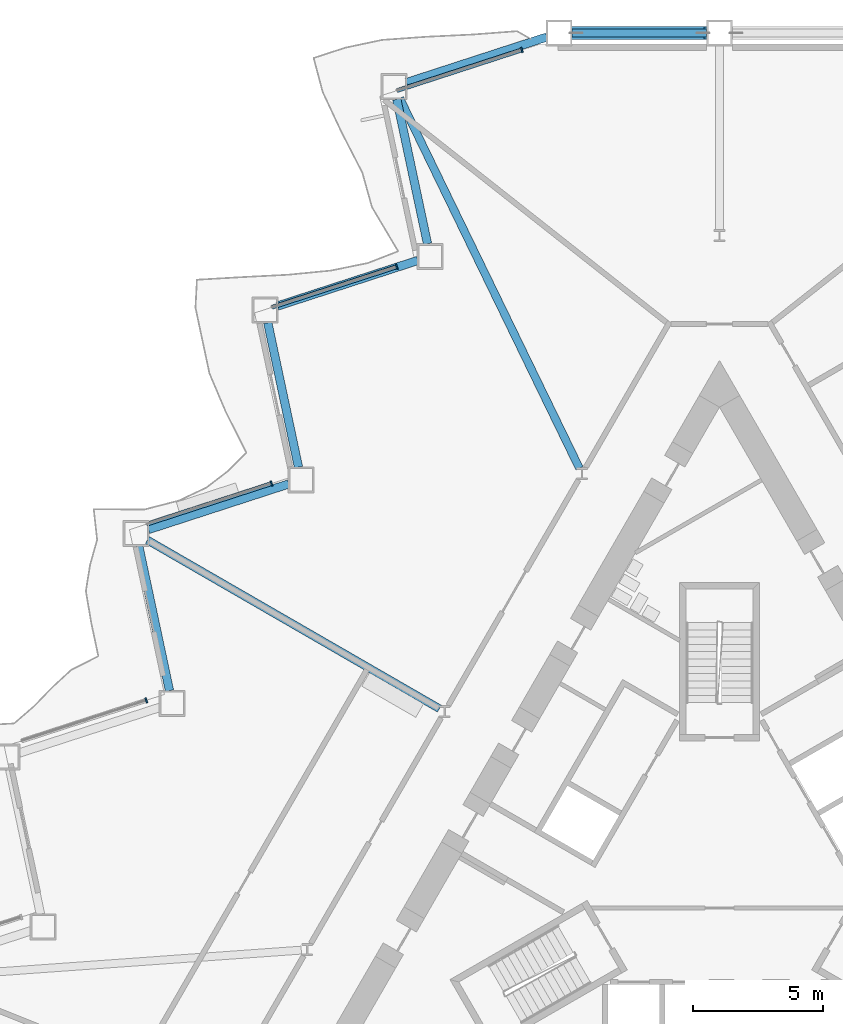
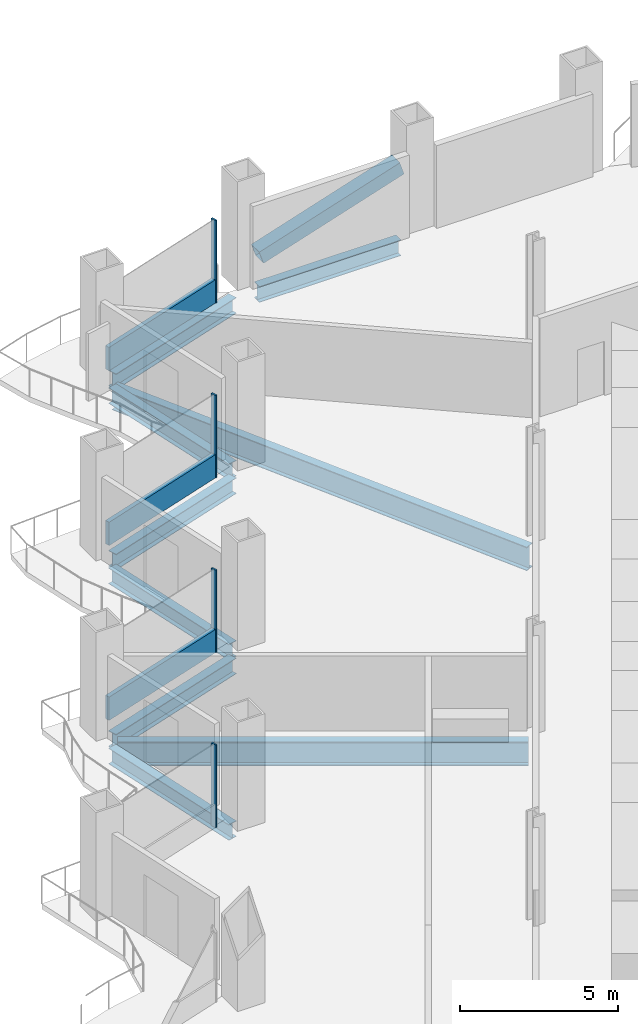
# One storey, part 6 of 20: 9 beams, 8 members, 4 elements without a shape of their own.
"""IFC4 building model written with IfcOpenShell, lengths in metres."""

from ifc_helpers import new_model, si_unit, direction, frame, origin, origin_2d, place, context, subcontext, project, spatial, rectangle, hollow_rectangle, i_section, extrude, material, layer, layer_set, material_profile, profile_set, type_object, element, aggregate, save


model = new_model("IFC4")

# Units and contexts
model_context = context("Model", 3, precision=1e-05, world=origin(), true_north=direction((0.0, 1.0)))
body_context = subcontext(model_context, "Body", "Model", "MODEL_VIEW")
ifc_project = project(units=[si_unit("LENGTHUNIT", "METRE"), si_unit("AREAUNIT", "SQUARE_METRE"), si_unit("VOLUMEUNIT", "CUBIC_METRE"), si_unit("PLANEANGLEUNIT", "RADIAN"), si_unit("MASSUNIT", "GRAM", prefix="KILO")], contexts=[model_context])

# Site, building, storey
site_placement = place(None, origin())
site = spatial("IfcSite", under=ifc_project, at=site_placement, CompositionType="ELEMENT")
building_placement = place(site_placement, origin())
building = spatial("IfcBuilding", under=site, at=building_placement, Name="Cormorant Prow Tower", CompositionType="ELEMENT")
storey_placement = place(building_placement, frame((0.0, 0.0, 34.199951171875)))
storey = spatial("IfcBuildingStorey", under=building, at=storey_placement, Name="L06", CompositionType="ELEMENT", Elevation=34.199951171875)

# Member
ifc_material_1 = material(Name="Structural steel ASTM A500 Gr C", Category="steel")
ifc_material_profile_1 = material_profile(ifc_material_1, hollow_rectangle(XDim=0.508056640625, YDim=0.508056640625, WallThickness=0.014892578125, at=origin_2d()), Name="HSS20x20x5/8")
ifc_profile_set_1 = profile_set([ifc_material_profile_1], Name="Structural steel ASTM A500 Gr C")
member_type_1 = type_object("IfcMemberType", Name="Chamfer brace HSS20x20x5/8", PredefinedType="BRACE", material=ifc_profile_set_1)
member_1_placement = place(storey_placement, frame((-5.65087890625, 32.233642578125, 0.767333984375), z_axis=(0.951774314198, 0.0, 0.306799046335), x_axis=(0.0, 1.0, 0.0)))
element("IfcMember", 1, at=member_1_placement, inside=storey, type_object=member_type_1, Name="Chamfer brace BR1 at N01 L06", PredefinedType="BRACE", context=body_context, shape_type="SweptSolid", body=[
    extrude(hollow_rectangle(XDim=0.508056640625, YDim=0.508056640625, WallThickness=0.014892578125, at=origin_2d()), origin(), (0.0, 0.0, 1.0), 5.39208984375),
])

# Curtain wall, member
ifc_material_2 = material(Name="Aluminium 6063-T6", Category="aluminium")
ifc_layer = layer(ifc_material_2, 0.199951171875)
ifc_layer_set = layer_set([ifc_layer], Name="Aluminium 6063-T6")
curtain_wall_type = type_object("IfcCurtainWallType", Name="Office unitised curtain wall 200", PredefinedType="NOTDEFINED", material=ifc_layer_set)
curtain_wall_1_placement = place(storey_placement, origin())
curtain_wall_1 = element("IfcCurtainWall", 2, at=curtain_wall_1_placement, inside=storey, type_object=curtain_wall_type, Name="Office curtain wall WNW00", PredefinedType="NOTDEFINED")
ifc_material_3 = material(Name="Aluminium 6063-T6", Category="aluminium")
ifc_material_profile_2 = material_profile(ifc_material_3, rectangle(XDim=0.199951171875, YDim=0.06005859375, at=origin_2d()), Name="Office mullion 60x200")
ifc_profile_set_2 = profile_set([ifc_material_profile_2], Name="Aluminium 6063-T6")
member_type_2 = type_object("IfcMemberType", Name="Office mullion 60x200", PredefinedType="MULLION", material=ifc_profile_set_2)
member_2_placement = place(storey_placement, frame((-7.609375, 31.578369140625, 0.0), z_axis=(0.0, 0.0, 1.0), x_axis=(0.30901688663, -0.951056551303, 0.0)))
member_2 = element("IfcMember", 3, at=member_2_placement, type_object=member_type_2, Name="Office mullion WNW00", PredefinedType="MULLION", context=body_context, shape_type="SweptSolid", body=[
    extrude(rectangle(XDim=0.199951171875, YDim=0.06005859375, at=origin_2d()), origin(), (0.0, 0.0, 1.0), 3.18896484375),
])

curtain_wall_2_placement = place(storey_placement, origin())
curtain_wall_2 = element("IfcCurtainWall", 4, at=curtain_wall_2_placement, inside=storey, type_object=curtain_wall_type, Name="Office curtain wall WNW02", PredefinedType="NOTDEFINED")
member_3_placement = place(storey_placement, frame((-12.427001953125, 23.234130859375, 0.0), z_axis=(0.0, 0.0, 1.0), x_axis=(0.309017026162, -0.951056505967, 0.0)))
member_3 = element("IfcMember", 5, at=member_3_placement, type_object=member_type_2, Name="Office mullion WNW02", PredefinedType="MULLION", context=body_context, shape_type="SweptSolid", body=[
    extrude(rectangle(XDim=0.199951171875, YDim=0.06005859375, at=origin_2d()), origin(), (0.0, 0.0, 1.0), 3.18896484375),
])

curtain_wall_3_placement = place(storey_placement, origin())
curtain_wall_3 = element("IfcCurtainWall", 6, at=curtain_wall_3_placement, inside=storey, type_object=curtain_wall_type, Name="Office curtain wall WNW04", PredefinedType="NOTDEFINED")
member_4_placement = place(storey_placement, frame((-17.244384765625, 14.889892578125, 0.0), z_axis=(0.0, 0.0, 1.0), x_axis=(0.309017026162, -0.951056505967, 0.0)))
member_4 = element("IfcMember", 7, at=member_4_placement, type_object=member_type_2, Name="Office mullion WNW04", PredefinedType="MULLION", context=body_context, shape_type="SweptSolid", body=[
    extrude(rectangle(XDim=0.199951171875, YDim=0.06005859375, at=origin_2d()), origin(), (0.0, 0.0, 1.0), 3.18896484375),
])

curtain_wall_4_placement = place(storey_placement, origin())
curtain_wall_4 = element("IfcCurtainWall", 8, at=curtain_wall_4_placement, inside=storey, type_object=curtain_wall_type, Name="Office curtain wall WNW06", PredefinedType="NOTDEFINED")
member_5_placement = place(storey_placement, frame((-22.06201171875, 6.545654296875, 0.0), z_axis=(0.0, 0.0, 1.0), x_axis=(0.309016931979, -0.951056536569, 0.0)))
member_5 = element("IfcMember", 9, at=member_5_placement, type_object=member_type_2, Name="Office mullion WNW06", PredefinedType="MULLION", context=body_context, shape_type="SweptSolid", body=[
    extrude(rectangle(XDim=0.199951171875, YDim=0.06005859375, at=origin_2d()), origin(), (0.0, 0.0, 1.0), 3.18896484375),
])
aggregate(curtain_wall_4, [member_5])

# Member
ifc_material_4 = material(Name="Terracotta", Category="masonry")
ifc_material_profile_3 = material_profile(ifc_material_4, rectangle(XDim=0.159912109375, YDim=0.89990234375, at=origin_2d()), Name="Office terracotta spandrel rail 160x900")
ifc_profile_set_3 = profile_set([ifc_material_profile_3], Name="Terracotta")
member_type_3 = type_object("IfcMemberType", Name="Office terracotta spandrel rail 160x900", PredefinedType="USERDEFINED", material=ifc_profile_set_3)
member_6_placement = place(storey_placement, frame((-7.637939453125, 31.569091796875, 0.449951171875), z_axis=(-0.951064821809, -0.308991431464, 0.0), x_axis=(0.308991431464, -0.951064821809, 0.0)))
member_6 = element("IfcMember", 10, at=member_6_placement, type_object=member_type_3, Name="Office spandrel rail WNW00", ObjectType="TRANSOM", PredefinedType="USERDEFINED", context=body_context, shape_type="SweptSolid", body=[
    extrude(rectangle(XDim=0.159912109375, YDim=0.89990234375, at=origin_2d()), origin(), (0.0, 0.0, 1.0), 5.016357421875),
])

aggregate(curtain_wall_1, [member_2, member_6])

member_7_placement = place(storey_placement, frame((-12.455322265625, 23.224853515625, 0.449951171875), z_axis=(-0.951055166493, -0.309021148607, 0.0), x_axis=(0.309021148607, -0.951055166493, 0.0)))
member_7 = element("IfcMember", 11, at=member_7_placement, type_object=member_type_3, Name="Office spandrel rail WNW02", ObjectType="TRANSOM", PredefinedType="USERDEFINED", context=body_context, shape_type="SweptSolid", body=[
    extrude(rectangle(XDim=0.159912109375, YDim=0.89990234375, at=origin_2d()), origin(), (0.0, 0.0, 1.0), 5.016845703125),
])

aggregate(curtain_wall_2, [member_3, member_7])

member_8_placement = place(storey_placement, frame((-17.27294921875, 14.880615234375, 0.449951171875), z_axis=(-0.951055166493, -0.309021148607, 0.0), x_axis=(0.309021148607, -0.951055166493, 0.0)))
member_8 = element("IfcMember", 12, at=member_8_placement, type_object=member_type_3, Name="Office spandrel rail WNW04", ObjectType="TRANSOM", PredefinedType="USERDEFINED", context=body_context, shape_type="SweptSolid", body=[
    extrude(rectangle(XDim=0.159912109375, YDim=0.89990234375, at=origin_2d()), origin(), (0.0, 0.0, 1.0), 5.016845703125),
])

aggregate(curtain_wall_3, [member_4, member_8])

# Beams
ifc_material_5 = material(Name="Structural steel ASTM A992 Gr 50", Category="steel")
ifc_material_profile_4 = material_profile(ifc_material_5, i_section(OverallWidth=0.3046875, OverallDepth=0.914794921875, WebThickness=0.0166015625, FlangeThickness=0.02587890625, at=origin_2d()), Name="W36x160")
ifc_profile_set_4 = profile_set([ifc_material_profile_4], Name="Structural steel ASTM A992 Gr 50")
beam_type_1 = type_object("IfcBeamType", Name="Radial floor beam W36x160", PredefinedType="BEAM", material=ifc_profile_set_4)
beam_1_placement = place(storey_placement, frame((-5.390625, 15.4775390625, -0.857421875), z_axis=(-0.436839436813, 0.899539496879, 0.0), x_axis=(-0.899539496879, -0.436839436813, 0.0)))
element("IfcBeam", 13, at=beam_1_placement, inside=storey, type_object=beam_type_1, Name="Radial floor beam FB1 2 L06", PredefinedType="BEAM", context=body_context, shape_type="SweptSolid", body=[
    extrude(i_section(OverallWidth=0.3046875, OverallDepth=0.914794921875, WebThickness=0.0166015625, FlangeThickness=0.02587890625, at=origin_2d()), origin(), (0.0, 0.0, 1.0), 15.83203125),
])
beam_2_placement = place(storey_placement, frame((-10.779541015625, 6.2236328125, -0.857421875), z_axis=(-0.866030278318, 0.499991556966, 0.0), x_axis=(-0.499991556966, -0.866030278318, 0.0)))
element("IfcBeam", 14, at=beam_2_placement, inside=storey, type_object=beam_type_1, Name="Radial floor beam FB1 3 L06", PredefinedType="BEAM", context=body_context, shape_type="SweptSolid", body=[
    extrude(i_section(OverallWidth=0.3046875, OverallDepth=0.914794921875, WebThickness=0.0166015625, FlangeThickness=0.02587890625, at=origin_2d()), origin(), (0.0, 0.0, 1.0), 12.984130859375),
])
ifc_material_6 = material(Name="Structural steel ASTM A992 Gr 50", Category="steel")
ifc_material_profile_5 = material_profile(ifc_material_6, i_section(OverallWidth=0.32373046875, OverallDepth=0.611083984375, WebThickness=0.0126953125, FlangeThickness=0.01904296875, at=origin_2d()), Name="W24x104")
ifc_profile_set_5 = profile_set([ifc_material_profile_5], Name="Structural steel ASTM A992 Gr 50")
beam_type_2 = type_object("IfcBeamType", Name="Spandrel beam W24x104", PredefinedType="SPANDREL", material=ifc_profile_set_5)
beam_3_placement = place(storey_placement, frame((-0.5, 32.233642578125, -0.70556640625), z_axis=(-1.0, 0.0, 0.0), x_axis=(0.0, -1.0, 0.0)))
element("IfcBeam", 15, at=beam_3_placement, inside=storey, type_object=beam_type_2, Name="Spandrel beam SB1 N01-WNW00 L06", PredefinedType="SPANDREL", context=body_context, shape_type="SweptSolid", body=[
    extrude(i_section(OverallWidth=0.32373046875, OverallDepth=0.611083984375, WebThickness=0.0126953125, FlangeThickness=0.01904296875, at=origin_2d()), origin(), (0.0, 0.0, 1.0), 5.169677734375),
])
beam_4_placement = place(storey_placement, frame((-6.645263671875, 32.0791015625, -0.70556640625), z_axis=(-0.951061849722, -0.309000579292, 0.0), x_axis=(0.309000579292, -0.951061849722, 0.0)))
element("IfcBeam", 16, at=beam_4_placement, inside=storey, type_object=beam_type_2, Name="Spandrel beam SB1 WNW00-WNW01 L06", PredefinedType="SPANDREL", context=body_context, shape_type="SweptSolid", body=[
    extrude(i_section(OverallWidth=0.32373046875, OverallDepth=0.611083984375, WebThickness=0.0126953125, FlangeThickness=0.01904296875, at=origin_2d()), origin(), (0.0, 0.0, 1.0), 5.682373046875),
])
beam_5_placement = place(storey_placement, frame((-12.421142578125, 29.6796875, -0.70556640625), z_axis=(0.207900376723, -0.97815000555, 0.0), x_axis=(0.97815000555, 0.207900376723, 0.0)))
element("IfcBeam", 17, at=beam_5_placement, inside=storey, type_object=beam_type_2, Name="Spandrel beam SB1 WNW01-WNW02 L06", PredefinedType="SPANDREL", context=body_context, shape_type="SweptSolid", body=[
    extrude(i_section(OverallWidth=0.32373046875, OverallDepth=0.611083984375, WebThickness=0.0126953125, FlangeThickness=0.01904296875, at=origin_2d()), origin(), (0.0, 0.0, 1.0), 5.6826171875),
])
beam_6_placement = place(storey_placement, frame((-11.611328125, 23.477783203125, -0.70556640625), z_axis=(-0.951049222751, -0.309039440696, 0.0), x_axis=(0.309039440696, -0.951049222751, 0.0)))
element("IfcBeam", 18, at=beam_6_placement, inside=storey, type_object=beam_type_2, Name="Spandrel beam SB1 WNW02-WNW03 L06", PredefinedType="SPANDREL", context=body_context, shape_type="SweptSolid", body=[
    extrude(i_section(OverallWidth=0.32373046875, OverallDepth=0.611083984375, WebThickness=0.0126953125, FlangeThickness=0.01904296875, at=origin_2d()), origin(), (0.0, 0.0, 1.0), 5.682373046875),
])
beam_7_placement = place(storey_placement, frame((-17.38720703125, 21.078125, -0.70556640625), z_axis=(0.207900376723, -0.97815000555, 0.0), x_axis=(0.97815000555, 0.207900376723, 0.0)))
element("IfcBeam", 19, at=beam_7_placement, inside=storey, type_object=beam_type_2, Name="Spandrel beam SB1 WNW03-WNW04 L06", PredefinedType="SPANDREL", context=body_context, shape_type="SweptSolid", body=[
    extrude(i_section(OverallWidth=0.32373046875, OverallDepth=0.611083984375, WebThickness=0.0126953125, FlangeThickness=0.01904296875, at=origin_2d()), origin(), (0.0, 0.0, 1.0), 5.6826171875),
])
beam_8_placement = place(storey_placement, frame((-16.577392578125, 14.876220703125, -0.70556640625), z_axis=(-0.951049222751, -0.309039440696, 0.0), x_axis=(0.309039440696, -0.951049222751, 0.0)))
element("IfcBeam", 20, at=beam_8_placement, inside=storey, type_object=beam_type_2, Name="Spandrel beam SB1 WNW04-WNW05 L06", PredefinedType="SPANDREL", context=body_context, shape_type="SweptSolid", body=[
    extrude(i_section(OverallWidth=0.32373046875, OverallDepth=0.611083984375, WebThickness=0.0126953125, FlangeThickness=0.01904296875, at=origin_2d()), origin(), (0.0, 0.0, 1.0), 5.682373046875),
])
beam_9_placement = place(storey_placement, frame((-22.353271484375, 12.4765625, -0.70556640625), z_axis=(0.207900376723, -0.97815000555, 0.0), x_axis=(0.97815000555, 0.207900376723, 0.0)))
element("IfcBeam", 21, at=beam_9_placement, inside=storey, type_object=beam_type_2, Name="Spandrel beam SB1 WNW05-WNW06 L06", PredefinedType="SPANDREL", context=body_context, shape_type="SweptSolid", body=[
    extrude(i_section(OverallWidth=0.32373046875, OverallDepth=0.611083984375, WebThickness=0.0126953125, FlangeThickness=0.01904296875, at=origin_2d()), origin(), (0.0, 0.0, 1.0), 5.6826171875),
])

save(model, "model.ifc")
